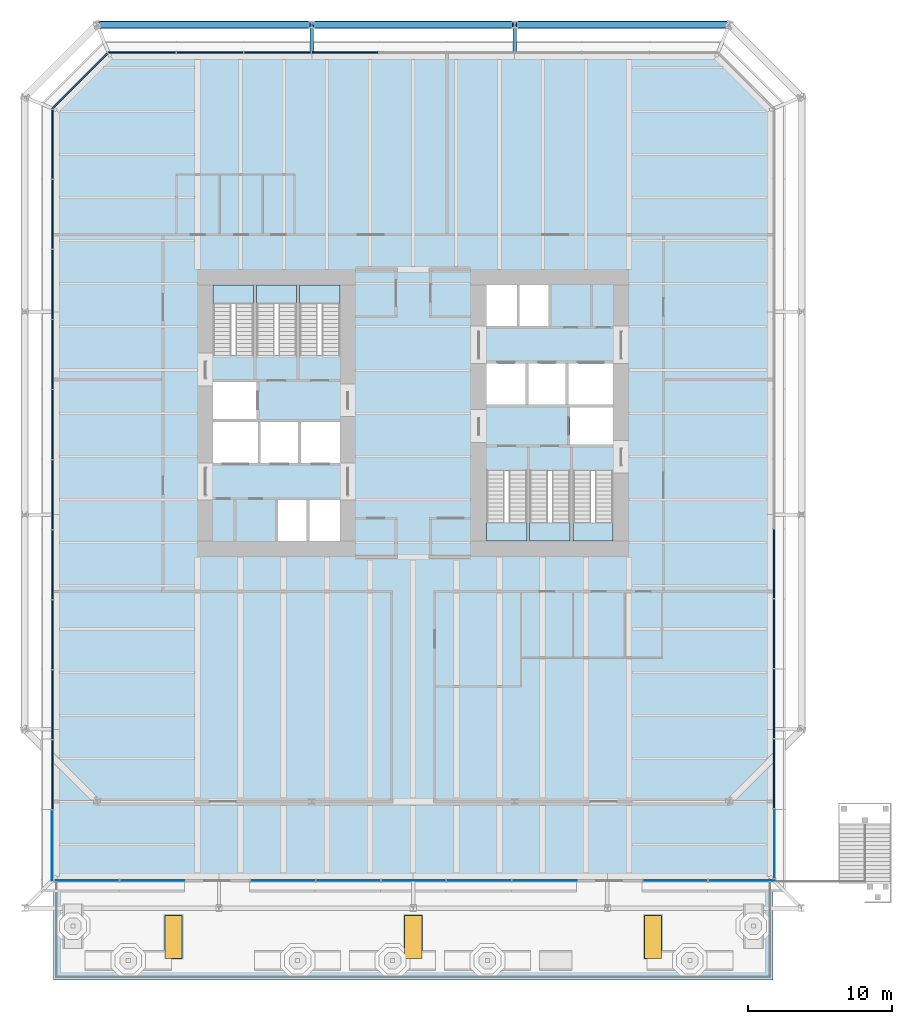
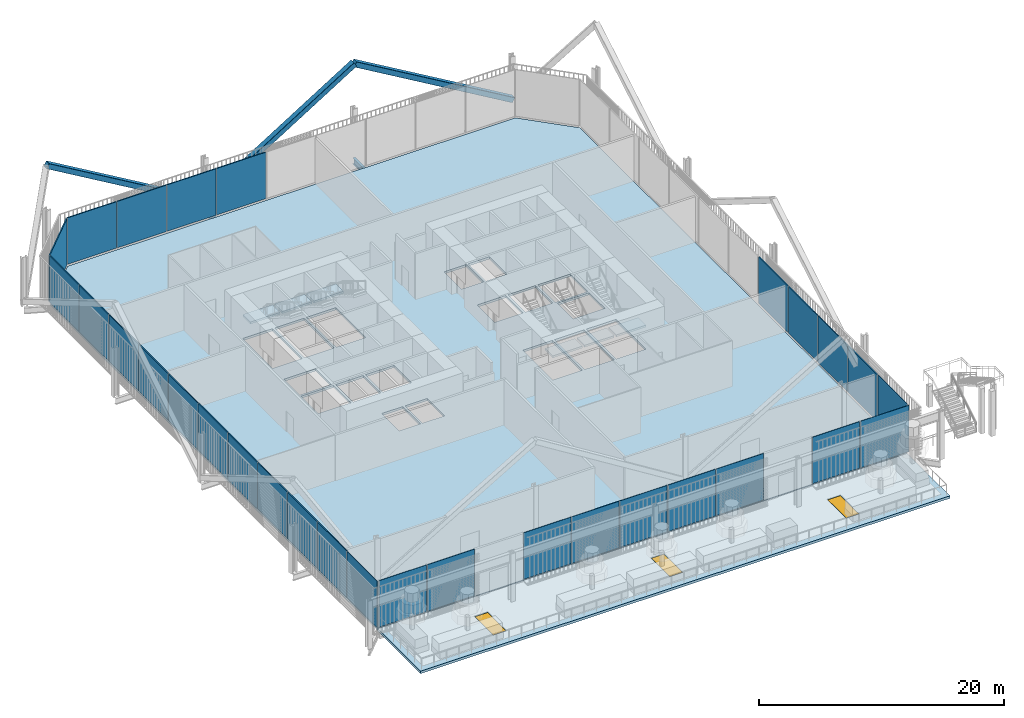
# One storey, part 18 of 26: 30 plates, 8 slabs, 3 members, 3 windows, 2 beams, 3 openings, 15 elements without a shape of their own.
"""IFC4 building model written with IfcOpenShell, lengths in metres."""

from ifc_helpers import new_model, si_unit, direction, frame, origin, origin_2d, place, context, subcontext, project, spatial, polyline, rectangle, hollow_rectangle, i_section, outline, extrude, material, layer, layer_set, material_profile, profile_set, type_object, element, fill, aggregate, save


model = new_model("IFC4")

# Units and contexts
model_context = context("Model", 3, precision=1e-05, world=origin(), true_north=direction((0.0, 1.0)))
body_context = subcontext(model_context, "Body", "Model", "MODEL_VIEW")
ifc_project = project(units=[si_unit("LENGTHUNIT", "METRE"), si_unit("AREAUNIT", "SQUARE_METRE"), si_unit("VOLUMEUNIT", "CUBIC_METRE"), si_unit("PLANEANGLEUNIT", "RADIAN"), si_unit("MASSUNIT", "GRAM", prefix="KILO")], contexts=[model_context])

# Site, building, storey
site_placement = place(None, origin())
site = spatial("IfcSite", under=ifc_project, at=site_placement, CompositionType="ELEMENT")
building_placement = place(site_placement, origin())
building = spatial("IfcBuilding", under=site, at=building_placement, Name="Millrace Tower", CompositionType="ELEMENT")
storey_placement = place(building_placement, frame((0.0, 0.0, 11.300048828125)))
storey = spatial("IfcBuildingStorey", under=building, at=storey_placement, Name="L03", CompositionType="ELEMENT", Elevation=11.300048828125)

# Members
ifc_material_1 = material(Name="Steel ASTM A500 Grade C", Category="steel")
ifc_material_profile_1 = material_profile(ifc_material_1, hollow_rectangle(XDim=0.508056640625, YDim=0.508056640625, WallThickness=0.022216796875, InnerFilletRadius=0.01123046875, OuterFilletRadius=0.033447265625, at=origin_2d()))
ifc_profile_set_1 = profile_set([ifc_material_profile_1], Name="Steel ASTM A500 Grade C")
member_type = type_object("IfcMemberType", Name="Exoskeleton brace HSS20x20x7/8", PredefinedType="BRACE", material=ifc_profile_set_1)
member_1_placement = place(storey_placement, frame((21.978515625, 27.0, 0.39990234375), z_axis=(-0.861464835883, 0.0, 0.507817227491), x_axis=(0.0, -1.0, 0.0)))
element("IfcMember", 1, at=member_1_placement, inside=storey, type_object=member_type, Name="BRC-A-L03-10", PredefinedType="BRACE", context=body_context, shape_type="SweptSolid", body=[
    extrude(hollow_rectangle(XDim=0.508056640625, YDim=0.508056640625, WallThickness=0.022216796875, InnerFilletRadius=0.01123046875, OuterFilletRadius=0.033447265625, at=origin_2d()), origin(), (0.0, 0.0, 1.0), 17.3291015625),
])
member_2_placement = place(storey_placement, frame((-7.050048828125, 27.0, 0.39990234375), z_axis=(0.848336468551, 0.0, 0.529457492276), x_axis=(0.0, 1.0, 0.0)))
element("IfcMember", 2, at=member_2_placement, inside=storey, type_object=member_type, Name="BRC-A-L03-11", PredefinedType="BRACE", context=body_context, shape_type="SweptSolid", body=[
    extrude(hollow_rectangle(XDim=0.508056640625, YDim=0.508056640625, WallThickness=0.022216796875, InnerFilletRadius=0.01123046875, OuterFilletRadius=0.033447265625, at=origin_2d()), origin(), (0.0, 0.0, 1.0), 16.620849609375),
])
member_3_placement = place(storey_placement, frame((-7.050048828125, 27.0, 0.39990234375), z_axis=(-0.861464835883, 0.0, 0.507817227491), x_axis=(0.0, -1.0, 0.0)))
element("IfcMember", 3, at=member_3_placement, inside=storey, type_object=member_type, Name="BRC-A-L03-12", PredefinedType="BRACE", context=body_context, shape_type="SweptSolid", body=[
    extrude(hollow_rectangle(XDim=0.508056640625, YDim=0.508056640625, WallThickness=0.022216796875, InnerFilletRadius=0.01123046875, OuterFilletRadius=0.033447265625, at=origin_2d()), origin(), (0.0, 0.0, 1.0), 17.3291015625),
])

# Beams
ifc_material_2 = material(Name="Steel ASTM A992 Grade 50", Category="steel")
ifc_material_profile_2 = material_profile(ifc_material_2, i_section(OverallWidth=0.23046875, OverallDepth=0.6171875, WebThickness=0.01318359375, FlangeThickness=0.022216796875, FilletRadius=0.012939453125, at=origin_2d()))
ifc_profile_set_2 = profile_set([ifc_material_profile_2], Name="Steel ASTM A992 Grade 50")
beam_type = type_object("IfcBeamType", Name="Link beam W24x94", PredefinedType="BEAM", material=ifc_profile_set_2)
for number, where, z_axis, x_axis, name in (
    (4, (-7.050048828125, 25.0, -0.53369140625), (0.0, 1.0, 0.0), (-1.0, 0.0, 0.0), "LNK-A-L03-S1-07"),
    (5, (7.050048828125, 25.0, -0.53369140625), (0.0, 1.0, 0.0), (-1.0, 0.0, 0.0), "LNK-A-L03-S1-08"),
):
    element("IfcBeam", number, at=place(storey_placement, frame(where, z_axis=z_axis, x_axis=x_axis)), inside=storey, type_object=beam_type, Name=name, PredefinedType="BEAM", context=body_context, shape_type="SweptSolid", body=[
        extrude(i_section(OverallWidth=0.23046875, OverallDepth=0.6171875, WebThickness=0.01318359375, FlangeThickness=0.022216796875, FilletRadius=0.012939453125, at=origin_2d()), origin(), (0.0, 0.0, 1.0), 2.0),
    ])

# Curtain wall, plates
ifc_material_3 = material(Name="Aluminium and glass", Category="aluminium")
ifc_layer_1 = layer(ifc_material_3, 0.14990234375)
ifc_layer_set_1 = layer_set([ifc_layer_1], Name="Aluminium and glass")
curtain_wall_type_1 = type_object("IfcCurtainWallType", Name="CW-2 data hall insulated curtain wall", PredefinedType="NOTDEFINED", material=ifc_layer_set_1)
placement_1 = place(storey_placement, origin())
curtain_wall_1 = element("IfcCurtainWall", 6, at=placement_1, inside=storey, type_object=curtain_wall_type_1, Name="Curtain wall AW3-F02 L03 CW2", PredefinedType="NOTDEFINED")
ifc_material_4 = material(Name="Glass", Category="glass")
ifc_layer_2 = layer(ifc_material_4, 0.10009765625)
ifc_layer_set_2 = layer_set([ifc_layer_2], Name="Glass")
plate_type_1 = type_object("IfcPlateType", Name="CW-2 data hall insulated curtain wall insulated cassette with vision slot", PredefinedType="CURTAIN_PANEL", material=ifc_layer_set_2)
placement_2 = place(storey_placement, frame((0.0, 0.0, 0.159912109375)))
plate_1 = element("IfcPlate", 7, at=placement_2, type_object=plate_type_1, Name="CW2 panel AW3-F02.2", PredefinedType="CURTAIN_PANEL", context=body_context, shape_type="SweptSolid", body=[
    extrude(outline(polyline([(25.125, -27.466796875), (25.125, -22.66357421875), (25.02490234375, -22.66357421875), (25.02490234375, -27.466796875), (25.125, -27.466796875)])), origin(), (0.0, 0.0, 1.0), 4.64013671875),
])
plate_2 = element("IfcPlate", 8, at=placement_2, type_object=plate_type_1, Name="CW2 panel AW3-F02.4", PredefinedType="CURTAIN_PANEL", context=body_context, shape_type="SweptSolid", body=[
    extrude(outline(polyline([(25.125, -17.73046875), (25.125, -12.92724609375), (25.02490234375, -12.92724609375), (25.02490234375, -17.73046875), (25.125, -17.73046875)])), origin(), (0.0, 0.0, 1.0), 4.64013671875),
])
plate_3 = element("IfcPlate", 9, at=placement_2, type_object=plate_type_1, Name="CW2 panel AW3-F02.5", PredefinedType="CURTAIN_PANEL", context=body_context, shape_type="SweptSolid", body=[
    extrude(outline(polyline([(25.125, -12.8623046875), (25.125, -8.05908203125), (25.02490234375, -8.05908203125), (25.02490234375, -12.8623046875), (25.125, -12.8623046875)])), origin(), (0.0, 0.0, 1.0), 4.64013671875),
])
aggregate(curtain_wall_1, [plate_1, plate_2, plate_3])

curtain_wall_2 = element("IfcCurtainWall", 10, at=placement_1, inside=storey, type_object=curtain_wall_type_1, Name="Curtain wall AW3-F04 L03", PredefinedType="NOTDEFINED")
plate_4 = element("IfcPlate", 11, at=placement_2, type_object=plate_type_1, Name="CW2 panel AW3-F04.6", PredefinedType="CURTAIN_PANEL", context=body_context, shape_type="SweptSolid", body=[
    extrude(outline(polyline([(-2.4150390625, 25.125), (-7.050048828125, 25.125), (-7.050048828125, 25.02490234375), (-2.4150390625, 25.02490234375), (-2.4150390625, 25.125)])), origin(), (0.0, 0.0, 1.0), 4.64013671875),
])
plate_5 = element("IfcPlate", 12, at=placement_2, type_object=plate_type_1, Name="CW2 panel AW3-F04.7", PredefinedType="CURTAIN_PANEL", context=body_context, shape_type="SweptSolid", body=[
    extrude(outline(polyline([(-7.114990234375, 25.125), (-11.75, 25.125), (-11.75, 25.02490234375), (-7.114990234375, 25.02490234375), (-7.114990234375, 25.125)])), origin(), (0.0, 0.0, 1.0), 4.64013671875),
])
plate_6 = element("IfcPlate", 13, at=placement_2, type_object=plate_type_1, Name="CW2 panel AW3-F04.8", PredefinedType="CURTAIN_PANEL", context=body_context, shape_type="SweptSolid", body=[
    extrude(outline(polyline([(-11.81494140625, 25.125), (-16.449951171875, 25.125), (-16.449951171875, 25.02490234375), (-11.81494140625, 25.02490234375), (-11.81494140625, 25.125)])), origin(), (0.0, 0.0, 1.0), 4.64013671875),
])
plate_7 = element("IfcPlate", 14, at=placement_2, type_object=plate_type_1, Name="CW2 panel AW3-F04.9", PredefinedType="CURTAIN_PANEL", context=body_context, shape_type="SweptSolid", body=[
    extrude(outline(polyline([(-16.514892578125, 25.125), (-21.20166015625, 25.125), (-21.160400390625, 25.02490234375), (-16.514892578125, 25.02490234375), (-16.514892578125, 25.125)])), origin(), (0.0, 0.0, 1.0), 4.64013671875),
])
aggregate(curtain_wall_2, [plate_4, plate_5, plate_6, plate_7])

# Curtain wall, plate
curtain_wall_3 = element("IfcCurtainWall", 15, at=placement_1, inside=storey, type_object=curtain_wall_type_1, Name="Curtain wall AW3-F05 L03", PredefinedType="NOTDEFINED")
plate_8 = element("IfcPlate", 16, at=placement_2, type_object=plate_type_1, Name="CW2 panel AW3-F05.1", PredefinedType="CURTAIN_PANEL", context=body_context, shape_type="SweptSolid", body=[
    extrude(outline(polyline([(-21.284423828125, 25.04248046875), (-25.125, 21.20166015625), (-25.02490234375, 21.160400390625), (-21.213623046875, 24.9716796875), (-21.284423828125, 25.04248046875)])), origin(), (0.0, 0.0, 1.0), 4.64013671875),
])
aggregate(curtain_wall_3, [plate_8])

# Curtain wall, plates
curtain_wall_4 = element("IfcCurtainWall", 17, at=placement_1, inside=storey, type_object=curtain_wall_type_1, Name="Curtain wall AW3-F06 L03", PredefinedType="NOTDEFINED")
plate_9 = element("IfcPlate", 18, at=placement_2, type_object=plate_type_1, Name="CW2 panel AW3-F06.1", PredefinedType="CURTAIN_PANEL", context=body_context, shape_type="SweptSolid", body=[
    extrude(outline(polyline([(-25.125, 21.0849609375), (-25.125, 16.28173828125), (-25.02490234375, 16.28173828125), (-25.02490234375, 21.0849609375), (-25.125, 21.0849609375)])), origin(), (0.0, 0.0, 1.0), 4.64013671875),
])
plate_10 = element("IfcPlate", 19, at=placement_2, type_object=plate_type_1, Name="CW2 panel AW3-F06.2", PredefinedType="CURTAIN_PANEL", context=body_context, shape_type="SweptSolid", body=[
    extrude(outline(polyline([(-25.125, 16.216796875), (-25.125, 11.41357421875), (-25.02490234375, 11.41357421875), (-25.02490234375, 16.216796875), (-25.125, 16.216796875)])), origin(), (0.0, 0.0, 1.0), 4.64013671875),
])
plate_11 = element("IfcPlate", 20, at=placement_2, type_object=plate_type_1, Name="CW2 panel AW3-F06.3", PredefinedType="CURTAIN_PANEL", context=body_context, shape_type="SweptSolid", body=[
    extrude(outline(polyline([(-25.125, 11.3486328125), (-25.125, 6.54541015625), (-25.02490234375, 6.54541015625), (-25.02490234375, 11.3486328125), (-25.125, 11.3486328125)])), origin(), (0.0, 0.0, 1.0), 4.64013671875),
])
plate_12 = element("IfcPlate", 21, at=placement_2, type_object=plate_type_1, Name="CW2 panel AW3-F06.4", PredefinedType="CURTAIN_PANEL", context=body_context, shape_type="SweptSolid", body=[
    extrude(outline(polyline([(-25.125, 6.48046875), (-25.125, 1.67724609375), (-25.02490234375, 1.67724609375), (-25.02490234375, 6.48046875), (-25.125, 6.48046875)])), origin(), (0.0, 0.0, 1.0), 4.64013671875),
])
plate_13 = element("IfcPlate", 22, at=placement_2, type_object=plate_type_1, Name="CW2 panel AW3-F06.5", PredefinedType="CURTAIN_PANEL", context=body_context, shape_type="SweptSolid", body=[
    extrude(outline(polyline([(-25.125, 1.6123046875), (-25.125, -3.19091796875), (-25.02490234375, -3.19091796875), (-25.02490234375, 1.6123046875), (-25.125, 1.6123046875)])), origin(), (0.0, 0.0, 1.0), 4.64013671875),
])
plate_14 = element("IfcPlate", 23, at=placement_2, type_object=plate_type_1, Name="CW2 panel AW3-F06.6", PredefinedType="CURTAIN_PANEL", context=body_context, shape_type="SweptSolid", body=[
    extrude(outline(polyline([(-25.125, -3.255859375), (-25.125, -8.05908203125), (-25.02490234375, -8.05908203125), (-25.02490234375, -3.255859375), (-25.125, -3.255859375)])), origin(), (0.0, 0.0, 1.0), 4.64013671875),
])
plate_15 = element("IfcPlate", 24, at=placement_2, type_object=plate_type_1, Name="CW2 panel AW3-F06.7", PredefinedType="CURTAIN_PANEL", context=body_context, shape_type="SweptSolid", body=[
    extrude(outline(polyline([(-25.125, -8.1240234375), (-25.125, -12.92724609375), (-25.02490234375, -12.92724609375), (-25.02490234375, -8.1240234375), (-25.125, -8.1240234375)])), origin(), (0.0, 0.0, 1.0), 4.64013671875),
])
plate_16 = element("IfcPlate", 25, at=placement_2, type_object=plate_type_1, Name="CW2 panel AW3-F06.8", PredefinedType="CURTAIN_PANEL", context=body_context, shape_type="SweptSolid", body=[
    extrude(outline(polyline([(-25.125, -12.9921875), (-25.125, -17.79541015625), (-25.02490234375, -17.79541015625), (-25.02490234375, -12.9921875), (-25.125, -12.9921875)])), origin(), (0.0, 0.0, 1.0), 4.64013671875),
])
plate_17 = element("IfcPlate", 26, at=placement_2, type_object=plate_type_1, Name="CW2 panel AW3-F06.9", PredefinedType="CURTAIN_PANEL", context=body_context, shape_type="SweptSolid", body=[
    extrude(outline(polyline([(-25.125, -17.8603515625), (-25.125, -22.66357421875), (-25.02490234375, -22.66357421875), (-25.02490234375, -17.8603515625), (-25.125, -17.8603515625)])), origin(), (0.0, 0.0, 1.0), 4.64013671875),
])
aggregate(curtain_wall_4, [plate_9, plate_10, plate_11, plate_12, plate_13, plate_14, plate_15, plate_16, plate_17])

# Curtain wall, plate
ifc_material_5 = material(Name="Aluminium and glass", Category="aluminium")
ifc_layer_3 = layer(ifc_material_5, 0.14990234375)
ifc_layer_set_3 = layer_set([ifc_layer_3], Name="Aluminium and glass")
curtain_wall_type_2 = type_object("IfcCurtainWallType", Name="CW-5 truss and plant storey louvred infill", PredefinedType="NOTDEFINED", material=ifc_layer_set_3)
curtain_wall_5 = element("IfcCurtainWall", 27, at=placement_1, inside=storey, type_object=curtain_wall_type_2, Name="Curtain wall AW3-F02 L03 CW5", PredefinedType="NOTDEFINED")
ifc_material_6 = material(Name="Glass", Category="glass")
ifc_layer_4 = layer(ifc_material_6, 0.090087890625)
ifc_layer_set_4 = layer_set([ifc_layer_4], Name="Glass")
plate_type_2 = type_object("IfcPlateType", Name="CW-5 truss and plant storey louvred infill louvre cassette", PredefinedType="CURTAIN_PANEL", material=ifc_layer_set_4)
placement_3 = place(storey_placement, frame((0.0, 0.0, 0.139892578125)))
plate_18 = element("IfcPlate", 28, at=placement_3, type_object=plate_type_2, Name="CW5 panel AW3-F02.3", PredefinedType="CURTAIN_PANEL", context=body_context, shape_type="SweptSolid", body=[
    extrude(outline(polyline([(25.1201171875, -22.5986328125), (25.1201171875, -17.79541015625), (25.030029296875, -17.79541015625), (25.030029296875, -22.5986328125), (25.1201171875, -22.5986328125)])), origin(), (0.0, 0.0, 1.0), 4.66015625),
])
aggregate(curtain_wall_5, [plate_18])

curtain_wall_6 = element("IfcCurtainWall", 29, at=placement_1, inside=storey, type_object=curtain_wall_type_2, Name="Curtain wall AW3-F06 L03 CW5", PredefinedType="NOTDEFINED")
plate_19 = element("IfcPlate", 30, at=placement_3, type_object=plate_type_2, Name="CW5 panel AW3-F06.10", PredefinedType="CURTAIN_PANEL", context=body_context, shape_type="SweptSolid", body=[
    extrude(outline(polyline([(-25.1201171875, -22.728515625), (-25.1201171875, -27.53173828125), (-25.030029296875, -27.53173828125), (-25.030029296875, -22.728515625), (-25.1201171875, -22.728515625)])), origin(), (0.0, 0.0, 1.0), 4.66015625),
])
aggregate(curtain_wall_6, [plate_19])

# Curtain wall, plates
ifc_material_7 = material(Name="Aluminium and glass", Category="aluminium")
ifc_layer_5 = layer(ifc_material_7, 0.199951171875)
ifc_layer_set_5 = layer_set([ifc_layer_5], Name="Aluminium and glass")
curtain_wall_type_3 = type_object("IfcCurtainWallType", Name="CW-6 lobby and cascade wing storefront", PredefinedType="NOTDEFINED", material=ifc_layer_set_5)
curtain_wall_7 = element("IfcCurtainWall", 31, at=placement_1, inside=storey, type_object=curtain_wall_type_3, Name="Curtain wall AW3-F01 L03", PredefinedType="NOTDEFINED")
ifc_material_8 = material(Name="Glass", Category="glass")
ifc_layer_6 = layer(ifc_material_8, 0.035888671875)
ifc_layer_set_6 = layer_set([ifc_layer_6], Name="Glass")
plate_type_3 = type_object("IfcPlateType", Name="CW-6 lobby and cascade wing storefront laminated glazed storefront panel", PredefinedType="CURTAIN_PANEL", material=ifc_layer_set_6)
placement_4 = place(storey_placement, frame((0.0, 0.0, 0.14990234375)))
plate_20 = element("IfcPlate", 32, at=placement_4, type_object=plate_type_3, Name="CW6 panel AW3-F01.1", PredefinedType="CURTAIN_PANEL", context=body_context, shape_type="SweptSolid", body=[
    extrude(outline(polyline([(-24.925048828125, -32.51806640625), (-20.45458984375, -32.51806640625), (-20.45458984375, -32.48193359375), (-24.925048828125, -32.48193359375), (-24.925048828125, -32.51806640625)])), origin(), (0.0, 0.0, 1.0), 4.650146484375),
])
plate_21 = element("IfcPlate", 33, at=placement_4, type_object=plate_type_3, Name="CW6 panel AW3-F01.2", PredefinedType="CURTAIN_PANEL", context=body_context, shape_type="SweptSolid", body=[
    extrude(outline(polyline([(-20.379638671875, -32.51806640625), (-15.9091796875, -32.51806640625), (-15.9091796875, -32.48193359375), (-20.379638671875, -32.48193359375), (-20.379638671875, -32.51806640625)])), origin(), (0.0, 0.0, 1.0), 4.650146484375),
])
plate_22 = element("IfcPlate", 34, at=placement_4, type_object=plate_type_3, Name="CW6 panel AW3-F01.4", PredefinedType="CURTAIN_PANEL", context=body_context, shape_type="SweptSolid", body=[
    extrude(outline(polyline([(-11.28857421875, -32.51806640625), (-6.818115234375, -32.51806640625), (-6.818115234375, -32.48193359375), (-11.28857421875, -32.48193359375), (-11.28857421875, -32.51806640625)])), origin(), (0.0, 0.0, 1.0), 4.650146484375),
])
plate_23 = element("IfcPlate", 35, at=placement_4, type_object=plate_type_3, Name="CW6 panel AW3-F01.5", PredefinedType="CURTAIN_PANEL", context=body_context, shape_type="SweptSolid", body=[
    extrude(outline(polyline([(-6.7431640625, -32.51806640625), (-2.272705078125, -32.51806640625), (-2.272705078125, -32.48193359375), (-6.7431640625, -32.48193359375), (-6.7431640625, -32.51806640625)])), origin(), (0.0, 0.0, 1.0), 4.650146484375),
])
plate_24 = element("IfcPlate", 36, at=placement_4, type_object=plate_type_3, Name="CW6 panel AW3-F01.6", PredefinedType="CURTAIN_PANEL", context=body_context, shape_type="SweptSolid", body=[
    extrude(outline(polyline([(-2.19775390625, -32.51806640625), (2.272705078125, -32.51806640625), (2.272705078125, -32.48193359375), (-2.19775390625, -32.48193359375), (-2.19775390625, -32.51806640625)])), origin(), (0.0, 0.0, 1.0), 4.650146484375),
])
plate_25 = element("IfcPlate", 37, at=placement_4, type_object=plate_type_3, Name="CW6 panel AW3-F01.7", PredefinedType="CURTAIN_PANEL", context=body_context, shape_type="SweptSolid", body=[
    extrude(outline(polyline([(2.34765625, -32.51806640625), (6.818115234375, -32.51806640625), (6.818115234375, -32.48193359375), (2.34765625, -32.48193359375), (2.34765625, -32.51806640625)])), origin(), (0.0, 0.0, 1.0), 4.650146484375),
])
plate_26 = element("IfcPlate", 38, at=placement_4, type_object=plate_type_3, Name="CW6 panel AW3-F01.8", PredefinedType="CURTAIN_PANEL", context=body_context, shape_type="SweptSolid", body=[
    extrude(outline(polyline([(6.89306640625, -32.51806640625), (11.363525390625, -32.51806640625), (11.363525390625, -32.48193359375), (6.89306640625, -32.48193359375), (6.89306640625, -32.51806640625)])), origin(), (0.0, 0.0, 1.0), 4.650146484375),
])
plate_27 = element("IfcPlate", 39, at=placement_4, type_object=plate_type_3, Name="CW6 panel AW3-F01.10", PredefinedType="CURTAIN_PANEL", context=body_context, shape_type="SweptSolid", body=[
    extrude(outline(polyline([(15.984130859375, -32.51806640625), (20.45458984375, -32.51806640625), (20.45458984375, -32.48193359375), (15.984130859375, -32.48193359375), (15.984130859375, -32.51806640625)])), origin(), (0.0, 0.0, 1.0), 4.650146484375),
])
plate_28 = element("IfcPlate", 40, at=placement_4, type_object=plate_type_3, Name="CW6 panel AW3-F01.11", PredefinedType="CURTAIN_PANEL", context=body_context, shape_type="SweptSolid", body=[
    extrude(outline(polyline([(20.529541015625, -32.51806640625), (25.117919921875, -32.51806640625), (25.08203125, -32.48193359375), (20.529541015625, -32.48193359375), (20.529541015625, -32.51806640625)])), origin(), (0.0, 0.0, 1.0), 4.650146484375),
])
aggregate(curtain_wall_7, [plate_20, plate_21, plate_22, plate_23, plate_24, plate_25, plate_26, plate_27, plate_28])

# Curtain wall, plate
curtain_wall_8 = element("IfcCurtainWall", 41, at=placement_1, inside=storey, type_object=curtain_wall_type_3, Name="Curtain wall AW3-F02 L03", PredefinedType="NOTDEFINED")
plate_29 = element("IfcPlate", 42, at=placement_4, type_object=plate_type_3, Name="CW6 panel AW3-F02.1", PredefinedType="CURTAIN_PANEL", context=body_context, shape_type="SweptSolid", body=[
    extrude(outline(polyline([(25.117919921875, -32.324951171875), (25.117919921875, -27.53173828125), (25.08203125, -27.53173828125), (25.08203125, -32.324951171875), (25.117919921875, -32.324951171875)])), origin(), (0.0, 0.0, 1.0), 4.650146484375),
])
aggregate(curtain_wall_8, [plate_29])

curtain_wall_9 = element("IfcCurtainWall", 43, at=placement_1, inside=storey, type_object=curtain_wall_type_3, Name="Curtain wall AW3-F06 L03 CW6", PredefinedType="NOTDEFINED")
plate_30 = element("IfcPlate", 44, at=placement_4, type_object=plate_type_3, Name="CW6 panel AW3-F06.11", PredefinedType="CURTAIN_PANEL", context=body_context, shape_type="SweptSolid", body=[
    extrude(outline(polyline([(-25.117919921875, -27.60693359375), (-25.117919921875, -32.51806640625), (-25.08203125, -32.48193359375), (-25.08203125, -27.60693359375), (-25.117919921875, -27.60693359375)])), origin(), (0.0, 0.0, 1.0), 4.650146484375),
])
aggregate(curtain_wall_9, [plate_30])

# Slab, openings, windows
ifc_material_9 = material(Name="Concrete C40", Category="concrete")
ifc_layer_7 = layer(ifc_material_9, 0.25)
ifc_layer_set_7 = layer_set([ifc_layer_7], Name="Concrete C40")
slab_type_1 = type_object("IfcSlabType", Name="Cascade terrace roof slab 250 mm", PredefinedType="ROOF", material=ifc_layer_set_7)
slab_1_placement = place(storey_placement, frame((0.0, 0.0, -0.2900390625)))
slab_1 = element("IfcSlab", 45, at=slab_1_placement, inside=storey, type_object=slab_type_1, Name="Cascade garden terrace", PredefinedType="ROOF", context=body_context, shape_type="SweptSolid", body=[
    extrude(outline(polyline([(25.0, -39.39990234375), (-25.0, -39.39990234375), (-25.0, -32.39990234375), (25.0, -32.39990234375), (25.0, -39.39990234375)])), origin(), (0.0, 0.0, 1.0), 0.25),
])
opening_1_placement = place(slab_1_placement, frame((-16.666748046875, -36.39990234375, 0.0)))
opening_1 = element("IfcOpeningElement", 46, at=opening_1_placement, cuts=slab_1, Name="Opening WK1", PredefinedType="OPENING", context=body_context, shape_type="SweptSolid", body=[
    extrude(rectangle(XDim=1.199951171875, YDim=3.0, at=origin_2d()), origin(), (0.0, 0.0, 1.0), 0.25),
])
opening_2_placement = place(slab_1_placement, frame((0.0, -36.39990234375, 0.0)))
opening_2 = element("IfcOpeningElement", 47, at=opening_2_placement, cuts=slab_1, Name="Opening WK1", PredefinedType="OPENING", context=body_context, shape_type="SweptSolid", body=[
    extrude(rectangle(XDim=1.199951171875, YDim=3.0, at=origin_2d()), origin(), (0.0, 0.0, 1.0), 0.25),
])
opening_3_placement = place(slab_1_placement, frame((16.666748046875, -36.39990234375, 0.0)))
opening_3 = element("IfcOpeningElement", 48, at=opening_3_placement, cuts=slab_1, Name="Opening WK1", PredefinedType="OPENING", context=body_context, shape_type="SweptSolid", body=[
    extrude(rectangle(XDim=1.199951171875, YDim=3.0, at=origin_2d()), origin(), (0.0, 0.0, 1.0), 0.25),
])
ifc_material_10 = material(Name="Laminated safety glass", Category="glass")
window_type = type_object("IfcWindowType", Name="Walk-on rooflight 1200 x 3000", PartitioningType="SINGLE_PANEL", PredefinedType="SKYLIGHT", material=ifc_material_10)
window_1_placement = place(opening_1_placement, frame((0.0, 0.0, 0.199951171875)))
window_1 = element("IfcWindow", 49, at=window_1_placement, inside=storey, type_object=window_type, Name="Walk-on rooflight L02 1.1", OverallHeight=3.0, OverallWidth=1.199951171875, PartitioningType="SINGLE_PANEL", PredefinedType="SKYLIGHT", context=body_context, shape_type="SweptSolid", body=[
    extrude(rectangle(XDim=1.199951171875, YDim=3.0, at=origin_2d()), origin(), (0.0, 0.0, 1.0), 0.050048828125),
])
fill(opening_1, window_1)
window_2_placement = place(opening_2_placement, frame((0.0, 0.0, 0.199951171875)))
window_2 = element("IfcWindow", 50, at=window_2_placement, inside=storey, type_object=window_type, Name="Walk-on rooflight L02 1.2", OverallHeight=3.0, OverallWidth=1.199951171875, PartitioningType="SINGLE_PANEL", PredefinedType="SKYLIGHT", context=body_context, shape_type="SweptSolid", body=[
    extrude(rectangle(XDim=1.199951171875, YDim=3.0, at=origin_2d()), origin(), (0.0, 0.0, 1.0), 0.050048828125),
])
fill(opening_2, window_2)
window_3_placement = place(opening_3_placement, frame((0.0, 0.0, 0.199951171875)))
window_3 = element("IfcWindow", 51, at=window_3_placement, inside=storey, type_object=window_type, Name="Walk-on rooflight L02 1.3", OverallHeight=3.0, OverallWidth=1.199951171875, PartitioningType="SINGLE_PANEL", PredefinedType="SKYLIGHT", context=body_context, shape_type="SweptSolid", body=[
    extrude(rectangle(XDim=1.199951171875, YDim=3.0, at=origin_2d()), origin(), (0.0, 0.0, 1.0), 0.050048828125),
])
fill(opening_3, window_3)

# Slab
ifc_material_11 = material(Name="Concrete C35 on steel deck", Category="concrete")
ifc_layer_8 = layer(ifc_material_11, 0.22509765625)
ifc_layer_set_8 = layer_set([ifc_layer_8], Name="Concrete C35 on steel deck")
slab_type_2 = type_object("IfcSlabType", Name="Composite floor slab 225 mm", PredefinedType="FLOOR", material=ifc_layer_set_8)
slab_2_placement = place(storey_placement, frame((0.0, 0.0, -0.22509765625)))
element("IfcSlab", 52, at=slab_2_placement, inside=storey, type_object=slab_type_2, Name="SL-A-L03-S1", PredefinedType="FLOOR", context=body_context, shape_type="SweptSolid", body=[
    extrude(outline(polyline([(-25.0, -32.39990234375), (25.0, -32.39990234375), (25.0, 21.14990234375), (21.14990234375, 25.0), (-21.14990234375, 25.0), (-25.0, 21.14990234375), (-25.0, -32.39990234375)]), holes=[polyline([(-9.39990234375, -8.89990234375), (-7.39990234375, -8.89990234375), (-7.39990234375, -6.050048828125), (-9.39990234375, -6.050048828125), (-9.39990234375, -8.89990234375)]), polyline([(-7.199951171875, -8.89990234375), (-5.10009765625, -8.89990234375), (-5.10009765625, -6.050048828125), (-7.199951171875, -6.050048828125), (-7.199951171875, -8.89990234375)]), polyline([(-13.89990234375, -3.449951171875), (-10.800048828125, -3.449951171875), (-10.800048828125, -0.60009765625), (-13.89990234375, -0.60009765625), (-13.89990234375, -3.449951171875)]), polyline([(-10.60009765625, -3.449951171875), (-8.0, -3.449951171875), (-8.0, -0.60009765625), (-10.60009765625, -0.60009765625), (-10.60009765625, -3.449951171875)]), polyline([(-7.800048828125, -3.449951171875), (-5.10009765625, -3.449951171875), (-5.10009765625, -0.60009765625), (-7.800048828125, -0.60009765625), (-7.800048828125, -3.449951171875)]), polyline([(-13.89990234375, -0.39990234375), (-10.89990234375, -0.39990234375), (-10.89990234375, 2.179931640625), (-13.89990234375, 2.179931640625), (-13.89990234375, -0.39990234375)]), polyline([(-13.89990234375, 4.0), (-11.10009765625, 4.0), (-11.10009765625, 8.89990234375), (-13.89990234375, 8.89990234375), (-13.89990234375, 4.0)]), polyline([(-10.89990234375, 4.0), (-8.10009765625, 4.0), (-8.10009765625, 8.89990234375), (-10.89990234375, 8.89990234375), (-10.89990234375, 4.0)]), polyline([(-7.89990234375, 4.0), (-5.10009765625, 4.0), (-5.10009765625, 8.89990234375), (-7.89990234375, 8.89990234375), (-7.89990234375, 4.0)]), polyline([(7.39990234375, 6.050048828125), (9.39990234375, 6.050048828125), (9.39990234375, 8.89990234375), (7.39990234375, 8.89990234375), (7.39990234375, 6.050048828125)]), polyline([(5.10009765625, 6.050048828125), (7.199951171875, 6.050048828125), (7.199951171875, 8.89990234375), (5.10009765625, 8.89990234375), (5.10009765625, 6.050048828125)]), polyline([(10.800048828125, 0.60009765625), (13.89990234375, 0.60009765625), (13.89990234375, 3.449951171875), (10.800048828125, 3.449951171875), (10.800048828125, 0.60009765625)]), polyline([(8.0, 0.60009765625), (10.60009765625, 0.60009765625), (10.60009765625, 3.449951171875), (8.0, 3.449951171875), (8.0, 0.60009765625)]), polyline([(5.10009765625, 0.60009765625), (7.800048828125, 0.60009765625), (7.800048828125, 3.449951171875), (5.10009765625, 3.449951171875), (5.10009765625, 0.60009765625)]), polyline([(10.89990234375, -2.179931640625), (13.89990234375, -2.179931640625), (13.89990234375, 0.39990234375), (10.89990234375, 0.39990234375), (10.89990234375, -2.179931640625)]), polyline([(11.10009765625, -8.89990234375), (13.89990234375, -8.89990234375), (13.89990234375, -4.0), (11.10009765625, -4.0), (11.10009765625, -8.89990234375)]), polyline([(8.10009765625, -8.89990234375), (10.89990234375, -8.89990234375), (10.89990234375, -4.0), (8.10009765625, -4.0), (8.10009765625, -8.89990234375)]), polyline([(5.10009765625, -8.89990234375), (7.89990234375, -8.89990234375), (7.89990234375, -4.0), (5.10009765625, -4.0), (5.10009765625, -8.89990234375)])]), origin(), (0.0, 0.0, 1.0), 0.22509765625),
])

# Stair, slab
ifc_material_12 = material(Name="Concrete C35", Category="concrete")
stair_type = type_object("IfcStairType", Name="Exit stair", PredefinedType="HALF_TURN_STAIR", material=ifc_material_12)
stair_1 = element("IfcStair", 53, at=placement_1, inside=storey, type_object=stair_type, Name="Stair 1 W L03", PredefinedType="HALF_TURN_STAIR")
ifc_material_13 = material(Name="Concrete C40", Category="concrete")
ifc_layer_9 = layer(ifc_material_13, 0.199951171875)
ifc_layer_set_9 = layer_set([ifc_layer_9], Name="Concrete C40")
slab_type_3 = type_object("IfcSlabType", Name="Stair landing", PredefinedType="LANDING", material=ifc_layer_set_9)
placement_5 = place(storey_placement, frame((0.0, 0.0, 2.199951171875)))
slab_3 = element("IfcSlab", 54, at=placement_5, type_object=slab_type_3, Name="ST12 landing 1", PredefinedType="LANDING", context=body_context, shape_type="SweptSolid", body=[
    extrude(outline(polyline([(-13.89990234375, 7.639892578125), (-11.10009765625, 7.639892578125), (-11.10009765625, 8.89990234375), (-13.89990234375, 8.89990234375), (-13.89990234375, 7.639892578125)])), origin(), (0.0, 0.0, 1.0), 0.199951171875),
])
aggregate(stair_1, [slab_3])

stair_2 = element("IfcStair", 55, at=placement_1, inside=storey, type_object=stair_type, Name="Stair 2 W L03", PredefinedType="HALF_TURN_STAIR")
slab_4 = element("IfcSlab", 56, at=placement_5, type_object=slab_type_3, Name="ST12 landing 1", PredefinedType="LANDING", context=body_context, shape_type="SweptSolid", body=[
    extrude(outline(polyline([(-10.89990234375, 7.639892578125), (-8.10009765625, 7.639892578125), (-8.10009765625, 8.89990234375), (-10.89990234375, 8.89990234375), (-10.89990234375, 7.639892578125)])), origin(), (0.0, 0.0, 1.0), 0.199951171875),
])
aggregate(stair_2, [slab_4])

stair_3 = element("IfcStair", 57, at=placement_1, inside=storey, type_object=stair_type, Name="Stair 3 W L03", PredefinedType="HALF_TURN_STAIR")
slab_5 = element("IfcSlab", 58, at=placement_5, type_object=slab_type_3, Name="ST12 landing 1", PredefinedType="LANDING", context=body_context, shape_type="SweptSolid", body=[
    extrude(outline(polyline([(-7.89990234375, 7.639892578125), (-5.10009765625, 7.639892578125), (-5.10009765625, 8.89990234375), (-7.89990234375, 8.89990234375), (-7.89990234375, 7.639892578125)])), origin(), (0.0, 0.0, 1.0), 0.199951171875),
])
aggregate(stair_3, [slab_5])

stair_4 = element("IfcStair", 59, at=placement_1, inside=storey, type_object=stair_type, Name="Stair 1 E L03", PredefinedType="HALF_TURN_STAIR")
slab_6 = element("IfcSlab", 60, at=placement_5, type_object=slab_type_3, Name="ST12 landing 1", PredefinedType="LANDING", context=body_context, shape_type="SweptSolid", body=[
    extrude(outline(polyline([(11.10009765625, -8.89990234375), (13.89990234375, -8.89990234375), (13.89990234375, -7.639892578125), (11.10009765625, -7.639892578125), (11.10009765625, -8.89990234375)])), origin(), (0.0, 0.0, 1.0), 0.199951171875),
])
aggregate(stair_4, [slab_6])

stair_5 = element("IfcStair", 61, at=placement_1, inside=storey, type_object=stair_type, Name="Stair 2 E L03", PredefinedType="HALF_TURN_STAIR")
slab_7 = element("IfcSlab", 62, at=placement_5, type_object=slab_type_3, Name="ST12 landing 1", PredefinedType="LANDING", context=body_context, shape_type="SweptSolid", body=[
    extrude(outline(polyline([(8.10009765625, -8.89990234375), (10.89990234375, -8.89990234375), (10.89990234375, -7.639892578125), (8.10009765625, -7.639892578125), (8.10009765625, -8.89990234375)])), origin(), (0.0, 0.0, 1.0), 0.199951171875),
])
aggregate(stair_5, [slab_7])

stair_6 = element("IfcStair", 63, at=placement_1, inside=storey, type_object=stair_type, Name="Stair 3 E L03", PredefinedType="HALF_TURN_STAIR")
slab_8 = element("IfcSlab", 64, at=placement_5, type_object=slab_type_3, Name="ST12 landing 1", PredefinedType="LANDING", context=body_context, shape_type="SweptSolid", body=[
    extrude(outline(polyline([(5.10009765625, -8.89990234375), (7.89990234375, -8.89990234375), (7.89990234375, -7.639892578125), (5.10009765625, -7.639892578125), (5.10009765625, -8.89990234375)])), origin(), (0.0, 0.0, 1.0), 0.199951171875),
])
aggregate(stair_6, [slab_8])

save(model, "model.ifc")
